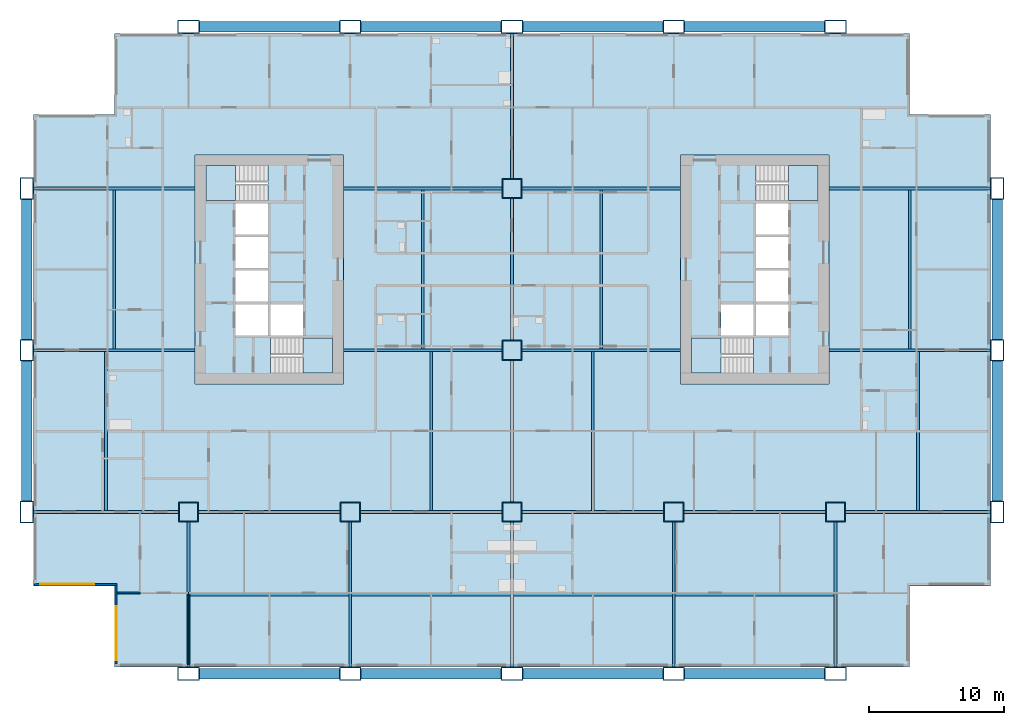
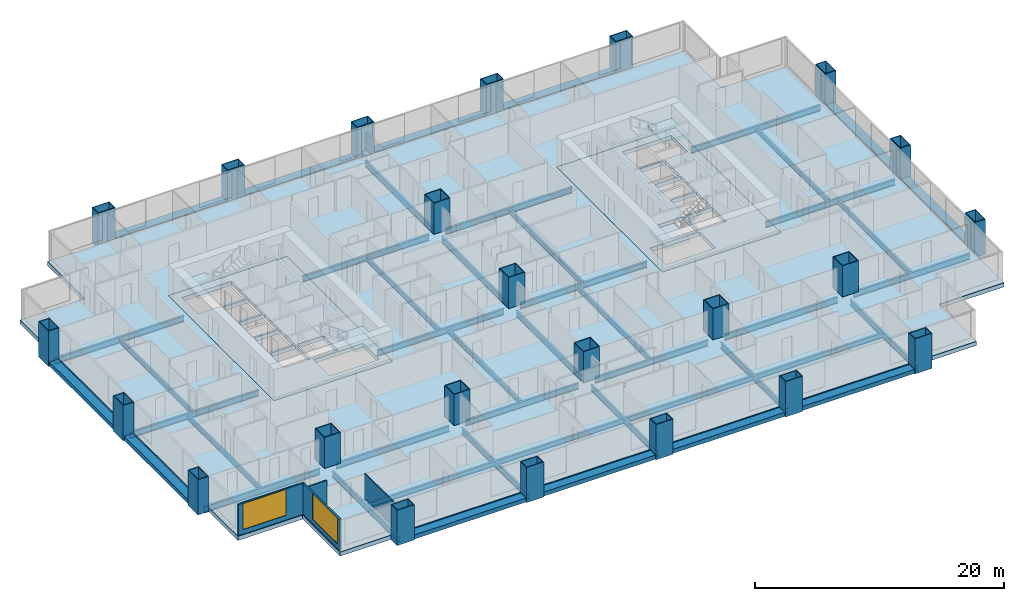
# One storey, part 1 of 14: 46 beams, 23 columns, 7 slabs, 4 walls, 2 windows, 2 openings, 4 elements without a shape of their own.
"""IFC4 building model written with IfcOpenShell, lengths in metres."""

from ifc_helpers import new_model, si_unit, direction, frame, frame_2d, origin, origin_2d, place, context, subcontext, project, spatial, polyline, rectangle, hollow_rectangle, i_section, outline, extrude, material, layer, layer_set, material_profile, profile_set, type_object, element, fill, aggregate, save


model = new_model("IFC4")

# Units and contexts
model_context = context("Model", 3, precision=1e-05, world=origin(), true_north=direction((0.0, 1.0)))
body_context = subcontext(model_context, "Body", "Model", "MODEL_VIEW")
ifc_project = project(units=[si_unit("LENGTHUNIT", "METRE"), si_unit("AREAUNIT", "SQUARE_METRE"), si_unit("VOLUMEUNIT", "CUBIC_METRE"), si_unit("PLANEANGLEUNIT", "RADIAN"), si_unit("MASSUNIT", "GRAM", prefix="KILO")], contexts=[model_context])

# Site, building, storey
site_placement = place(None, origin())
site = spatial("IfcSite", under=ifc_project, at=site_placement, CompositionType="ELEMENT")
building_placement = place(site_placement, origin())
building = spatial("IfcBuilding", under=site, at=building_placement, Name="Kitamizu Gate Tower and Museum", CompositionType="ELEMENT")
storey_placement = place(building_placement, frame((0.0, 0.0, 61.050048828125)))
storey = spatial("IfcBuildingStorey", under=building, at=storey_placement, Name="L14", CompositionType="ELEMENT", Elevation=61.050048828125)

# Columns
ifc_material_1 = material(Name="Steel SM490A bronze coated", Category="steel")
ifc_material_profile_1 = material_profile(ifc_material_1, hollow_rectangle(XDim=1.60009765625, YDim=1.0, WallThickness=0.06494140625, at=origin_2d()), Name="BOX 1600x1000x65")
ifc_profile_set_1 = profile_set([ifc_material_profile_1], Name="Steel SM490A bronze coated")
column_type_1 = type_object("IfcColumnType", Name="Exoskeleton column XC3 BOX 1600x1000x65", PredefinedType="COLUMN", material=ifc_profile_set_1)
for number, where, z_axis, x_axis, name in (
    (1, (0.0, 12.0, -0.400146484375), (0.0, 0.0, 1.0), (0.0, 1.0, 0.0), "Column XC3 1B L14"),
    (2, (0.0, 24.0, -0.400146484375), (0.0, 0.0, 1.0), (0.0, 1.0, 0.0), "Column XC3 1C L14"),
    (3, (0.0, 36.0, -0.400146484375), (0.0, 0.0, 1.0), (0.0, 1.0, 0.0), "Column XC3 1D L14"),
    (4, (12.0, 0.0, -0.400146484375), (0.0, 0.0, 1.0), (1.0, 0.0, 0.0), "Column XC3 2A L14"),
    (5, (12.0, 48.0, -0.400146484375), (0.0, 0.0, 1.0), (1.0, 0.0, 0.0), "Column XC3 2E L14"),
    (6, (24.0, 0.0, -0.400146484375), (0.0, 0.0, 1.0), (1.0, 0.0, 0.0), "Column XC3 3A L14"),
    (7, (24.0, 48.0, -0.400146484375), (0.0, 0.0, 1.0), (1.0, 0.0, 0.0), "Column XC3 3E L14"),
    (8, (36.0, 0.0, -0.400146484375), (0.0, 0.0, 1.0), (1.0, 0.0, 0.0), "Column XC3 4A L14"),
    (9, (36.0, 48.0, -0.400146484375), (0.0, 0.0, 1.0), (1.0, 0.0, 0.0), "Column XC3 4E L14"),
    (10, (48.0, 0.0, -0.400146484375), (0.0, 0.0, 1.0), (1.0, 0.0, 0.0), "Column XC3 5A L14"),
    (11, (48.0, 48.0, -0.400146484375), (0.0, 0.0, 1.0), (1.0, 0.0, 0.0), "Column XC3 5E L14"),
    (12, (60.0, 0.0, -0.400146484375), (0.0, 0.0, 1.0), (1.0, 0.0, 0.0), "Column XC3 6A L14"),
    (13, (60.0, 48.0, -0.400146484375), (0.0, 0.0, 1.0), (1.0, 0.0, 0.0), "Column XC3 6E L14"),
    (14, (72.0, 12.0, -0.400146484375), (0.0, 0.0, 1.0), (0.0, 1.0, 0.0), "Column XC3 7B L14"),
    (15, (72.0, 24.0, -0.400146484375), (0.0, 0.0, 1.0), (0.0, 1.0, 0.0), "Column XC3 7C L14"),
    (16, (72.0, 36.0, -0.400146484375), (0.0, 0.0, 1.0), (0.0, 1.0, 0.0), "Column XC3 7D L14"),
):
    element("IfcColumn", number, at=place(storey_placement, frame(where, z_axis=z_axis, x_axis=x_axis)), inside=storey, type_object=column_type_1, Name=name, PredefinedType="COLUMN", context=body_context, shape_type="SweptSolid", body=[
        extrude(hollow_rectangle(XDim=1.60009765625, YDim=1.0, WallThickness=0.06494140625, at=origin_2d()), origin(), (0.0, 0.0, 1.0), 3.4501953125),
    ])
ifc_material_2 = material(Name="Steel SM490A", Category="steel")
ifc_material_profile_2 = material_profile(ifc_material_2, hollow_rectangle(XDim=1.5, YDim=1.5, WallThickness=0.06494140625, at=origin_2d()), Name="BOX 1500x1500x65")
ifc_profile_set_2 = profile_set([ifc_material_profile_2], Name="Steel SM490A")
column_type_2 = type_object("IfcColumnType", Name="Interior column IC2 BOX 1500x1500x65", PredefinedType="COLUMN", material=ifc_profile_set_2)
for number, where, z_axis, x_axis, name in (
    (17, (12.0, 12.0, 0.0), (0.0, 0.0, 1.0), (1.0, 0.0, 0.0), "Column IC2 2B L14"),
    (18, (24.0, 12.0, 0.0), (0.0, 0.0, 1.0), (1.0, 0.0, 0.0), "Column IC2 3B L14"),
    (19, (36.0, 12.0, 0.0), (0.0, 0.0, 1.0), (1.0, 0.0, 0.0), "Column IC2 4B L14"),
    (20, (36.0, 24.0, 0.0), (0.0, 0.0, 1.0), (1.0, 0.0, 0.0), "Column IC2 4C L14"),
    (21, (36.0, 36.0, 0.0), (0.0, 0.0, 1.0), (1.0, 0.0, 0.0), "Column IC2 4D L14"),
    (22, (48.0, 12.0, 0.0), (0.0, 0.0, 1.0), (1.0, 0.0, 0.0), "Column IC2 5B L14"),
    (23, (60.0, 12.0, 0.0), (0.0, 0.0, 1.0), (1.0, 0.0, 0.0), "Column IC2 6B L14"),
):
    element("IfcColumn", number, at=place(storey_placement, frame(where, z_axis=z_axis, x_axis=x_axis)), inside=storey, type_object=column_type_2, Name=name, PredefinedType="COLUMN", context=body_context, shape_type="SweptSolid", body=[
        extrude(hollow_rectangle(XDim=1.5, YDim=1.5, WallThickness=0.06494140625, at=origin_2d()), origin(), (0.0, 0.0, 1.0), 3.050048828125),
    ])

# Beams
ifc_material_3 = material(Name="Steel SM490A bronze coated", Category="steel")
ifc_material_profile_3 = material_profile(ifc_material_3, hollow_rectangle(XDim=0.800048828125, YDim=0.39990234375, WallThickness=0.0400390625, at=origin_2d()), Name="BOX 800x400x40")
ifc_profile_set_3 = profile_set([ifc_material_profile_3], Name="Steel SM490A bronze coated")
beam_type_1 = type_object("IfcBeamType", Name="Exoskeleton spandrel beam SB1 BOX 800x400x40", PredefinedType="SPANDREL", material=ifc_profile_set_3)
for number, where, z_axis, x_axis, name in (
    (24, (12.800048828125, 0.0, -0.199951171875), (1.0, 0.0, 0.0), (0.0, 1.0, 0.0), "Exoskeleton spandrel beam south 12 L14"),
    (25, (24.800048828125, 0.0, -0.199951171875), (1.0, 0.0, 0.0), (0.0, 1.0, 0.0), "Exoskeleton spandrel beam south 24 L14"),
    (26, (36.800048828125, 0.0, -0.199951171875), (1.0, 0.0, 0.0), (0.0, 1.0, 0.0), "Exoskeleton spandrel beam south 36 L14"),
    (27, (48.800048828125, 0.0, -0.199951171875), (1.0, 0.0, 0.0), (0.0, 1.0, 0.0), "Exoskeleton spandrel beam south 48 L14"),
    (28, (12.800048828125, 48.0, -0.199951171875), (1.0, 0.0, 0.0), (0.0, 1.0, 0.0), "Exoskeleton spandrel beam north 12 L14"),
    (29, (24.800048828125, 48.0, -0.199951171875), (1.0, 0.0, 0.0), (0.0, 1.0, 0.0), "Exoskeleton spandrel beam north 24 L14"),
    (30, (36.800048828125, 48.0, -0.199951171875), (1.0, 0.0, 0.0), (0.0, 1.0, 0.0), "Exoskeleton spandrel beam north 36 L14"),
    (31, (48.800048828125, 48.0, -0.199951171875), (1.0, 0.0, 0.0), (0.0, 1.0, 0.0), "Exoskeleton spandrel beam north 48 L14"),
    (32, (0.0, 12.800048828125, -0.199951171875), (0.0, 1.0, 0.0), (-1.0, 0.0, 0.0), "Exoskeleton spandrel beam west 12 L14"),
    (33, (0.0, 24.800048828125, -0.199951171875), (0.0, 1.0, 0.0), (-1.0, 0.0, 0.0), "Exoskeleton spandrel beam west 24 L14"),
    (34, (72.0, 12.800048828125, -0.199951171875), (0.0, 1.0, 0.0), (-1.0, 0.0, 0.0), "Exoskeleton spandrel beam east 12 L14"),
    (35, (72.0, 24.800048828125, -0.199951171875), (0.0, 1.0, 0.0), (-1.0, 0.0, 0.0), "Exoskeleton spandrel beam east 24 L14"),
):
    element("IfcBeam", number, at=place(storey_placement, frame(where, z_axis=z_axis, x_axis=x_axis)), inside=storey, type_object=beam_type_1, Name=name, PredefinedType="SPANDREL", context=body_context, shape_type="SweptSolid", body=[
        extrude(hollow_rectangle(XDim=0.800048828125, YDim=0.39990234375, WallThickness=0.0400390625, at=origin_2d()), origin(), (0.0, 0.0, 1.0), 10.39990234375),
    ])
ifc_material_4 = material(Name="Steel SM490A", Category="steel")
ifc_material_profile_4 = material_profile(ifc_material_4, i_section(OverallWidth=0.199951171875, OverallDepth=0.5, WebThickness=0.010009765625, FlangeThickness=0.01611328125, FilletRadius=0.02001953125, at=origin_2d()), Name="H-500x200x10x16")
ifc_profile_set_4 = profile_set([ifc_material_profile_4], Name="Steel SM490A")
beam_type_2 = type_object("IfcBeamType", Name="Floor beam FB1 H 500x200x10x16", PredefinedType="BEAM", material=ifc_profile_set_4)
for number, where, z_axis, x_axis, name in (
    (36, (12.10009765625, 5.875, -0.650146484375), (1.0, 0.0, 0.0), (0.0, 1.0, 0.0), "Floor beam FB1 L14-1"),
    (37, (24.10009765625, 5.875, -0.650146484375), (1.0, 0.0, 0.0), (0.0, 1.0, 0.0), "Floor beam FB1 L14-2"),
    (38, (36.10009765625, 5.875, -0.650146484375), (1.0, 0.0, 0.0), (0.0, 1.0, 0.0), "Floor beam FB1 L14-3"),
    (39, (48.10009765625, 5.875, -0.650146484375), (1.0, 0.0, 0.0), (0.0, 1.0, 0.0), "Floor beam FB1 L14-4"),
    (40, (5.875, 12.10009765625, -0.650146484375), (0.0, 1.0, 0.0), (-1.0, 0.0, 0.0), "Floor beam FB1 L14-5"),
    (41, (30.0, 12.10009765625, -0.650146484375), (0.0, 1.0, 0.0), (-1.0, 0.0, 0.0), "Floor beam FB1 L14-6"),
    (42, (42.0, 12.10009765625, -0.650146484375), (0.0, 1.0, 0.0), (-1.0, 0.0, 0.0), "Floor beam FB1 L14-7"),
    (43, (66.125, 12.10009765625, -0.650146484375), (0.0, 1.0, 0.0), (-1.0, 0.0, 0.0), "Floor beam FB1 L14-8"),
    (44, (6.5, 24.10009765625, -0.650146484375), (0.0, 1.0, 0.0), (-1.0, 0.0, 0.0), "Floor beam FB1 L14-9"),
    (45, (29.375, 24.10009765625, -0.650146484375), (0.0, 1.0, 0.0), (-1.0, 0.0, 0.0), "Floor beam FB1 L14-10"),
    (46, (42.625, 24.10009765625, -0.650146484375), (0.0, 1.0, 0.0), (-1.0, 0.0, 0.0), "Floor beam FB1 L14-11"),
    (47, (65.5, 24.10009765625, -0.650146484375), (0.0, 1.0, 0.0), (-1.0, 0.0, 0.0), "Floor beam FB1 L14-12"),
):
    element("IfcBeam", number, at=place(storey_placement, frame(where, z_axis=z_axis, x_axis=x_axis)), inside=storey, type_object=beam_type_2, Name=name, PredefinedType="BEAM", context=body_context, shape_type="SweptSolid", body=[
        extrude(i_section(OverallWidth=0.199951171875, OverallDepth=0.5, WebThickness=0.010009765625, FlangeThickness=0.01611328125, FilletRadius=0.02001953125, at=origin_2d()), origin(), (0.0, 0.0, 1.0), 11.7998046875),
    ])
ifc_material_5 = material(Name="Steel SM490A", Category="steel")
ifc_material_profile_5 = material_profile(ifc_material_5, i_section(OverallWidth=0.199951171875, OverallDepth=0.60009765625, WebThickness=0.010986328125, FlangeThickness=0.01708984375, FilletRadius=0.02197265625, at=origin_2d()), Name="H-600x200x11x17")
ifc_profile_set_5 = profile_set([ifc_material_profile_5], Name="Steel SM490A")
beam_type_3 = type_object("IfcBeamType", Name="Floor girder FG1 H 600x200x11x17", PredefinedType="BEAM", material=ifc_profile_set_5)
for number, where, z_axis, x_axis, name in (
    (48, (12.0, 0.5, -0.699951171875), (0.0, 1.0, 0.0), (-1.0, 0.0, 0.0), "Floor girder FG1 x12 L14"),
    (49, (24.0, 0.5, -0.699951171875), (0.0, 1.0, 0.0), (-1.0, 0.0, 0.0), "Floor girder FG1 x24 L14"),
    (50, (36.0, 0.5, -0.699951171875), (0.0, 1.0, 0.0), (-1.0, 0.0, 0.0), "Floor girder FG1 x36 L14"),
):
    element("IfcBeam", number, at=place(storey_placement, frame(where, z_axis=z_axis, x_axis=x_axis)), inside=storey, type_object=beam_type_3, Name=name, PredefinedType="BEAM", context=body_context, shape_type="SweptSolid", body=[
        extrude(i_section(OverallWidth=0.199951171875, OverallDepth=0.60009765625, WebThickness=0.010986328125, FlangeThickness=0.01708984375, FilletRadius=0.02197265625, at=origin_2d()), origin(), (0.0, 0.0, 1.0), 10.75),
    ])
for number, where, z_axis, x_axis, name in (
    (51, (36.0, 12.75, -0.699951171875), (0.0, 1.0, 0.0), (-1.0, 0.0, 0.0), "Floor girder FG1 x36 L14"),
    (52, (36.0, 24.75, -0.699951171875), (0.0, 1.0, 0.0), (-1.0, 0.0, 0.0), "Floor girder FG1 x36 L14"),
):
    element("IfcBeam", number, at=place(storey_placement, frame(where, z_axis=z_axis, x_axis=x_axis)), inside=storey, type_object=beam_type_3, Name=name, PredefinedType="BEAM", context=body_context, shape_type="SweptSolid", body=[
        extrude(i_section(OverallWidth=0.199951171875, OverallDepth=0.60009765625, WebThickness=0.010986328125, FlangeThickness=0.01708984375, FilletRadius=0.02197265625, at=origin_2d()), origin(), (0.0, 0.0, 1.0), 10.5),
    ])
for number, where, z_axis, x_axis, name in (
    (53, (36.0, 36.75, -0.699951171875), (0.0, 1.0, 0.0), (-1.0, 0.0, 0.0), "Floor girder FG1 x36 L14"),
    (54, (48.0, 0.5, -0.699951171875), (0.0, 1.0, 0.0), (-1.0, 0.0, 0.0), "Floor girder FG1 x48 L14"),
    (55, (60.0, 0.5, -0.699951171875), (0.0, 1.0, 0.0), (-1.0, 0.0, 0.0), "Floor girder FG1 x60 L14"),
    (56, (0.5, 12.0, -0.699951171875), (1.0, 0.0, 0.0), (0.0, 1.0, 0.0), "Floor girder FG1 y12 L14"),
):
    element("IfcBeam", number, at=place(storey_placement, frame(where, z_axis=z_axis, x_axis=x_axis)), inside=storey, type_object=beam_type_3, Name=name, PredefinedType="BEAM", context=body_context, shape_type="SweptSolid", body=[
        extrude(i_section(OverallWidth=0.199951171875, OverallDepth=0.60009765625, WebThickness=0.010986328125, FlangeThickness=0.01708984375, FilletRadius=0.02197265625, at=origin_2d()), origin(), (0.0, 0.0, 1.0), 10.75),
    ])
for number, where, z_axis, x_axis, name in (
    (57, (12.75, 12.0, -0.699951171875), (1.0, 0.0, 0.0), (0.0, 1.0, 0.0), "Floor girder FG1 y12 L14"),
    (58, (24.75, 12.0, -0.699951171875), (1.0, 0.0, 0.0), (0.0, 1.0, 0.0), "Floor girder FG1 y12 L14"),
    (59, (36.75, 12.0, -0.699951171875), (1.0, 0.0, 0.0), (0.0, 1.0, 0.0), "Floor girder FG1 y12 L14"),
    (60, (48.75, 12.0, -0.699951171875), (1.0, 0.0, 0.0), (0.0, 1.0, 0.0), "Floor girder FG1 y12 L14"),
):
    element("IfcBeam", number, at=place(storey_placement, frame(where, z_axis=z_axis, x_axis=x_axis)), inside=storey, type_object=beam_type_3, Name=name, PredefinedType="BEAM", context=body_context, shape_type="SweptSolid", body=[
        extrude(i_section(OverallWidth=0.199951171875, OverallDepth=0.60009765625, WebThickness=0.010986328125, FlangeThickness=0.01708984375, FilletRadius=0.02197265625, at=origin_2d()), origin(), (0.0, 0.0, 1.0), 10.5),
    ])
beam_1_placement = place(storey_placement, frame((60.75, 12.0, -0.699951171875), z_axis=(1.0, 0.0, 0.0), x_axis=(0.0, 1.0, 0.0)))
element("IfcBeam", 61, at=beam_1_placement, inside=storey, type_object=beam_type_3, Name="Floor girder FG1 y12 L14", PredefinedType="BEAM", context=body_context, shape_type="SweptSolid", body=[
    extrude(i_section(OverallWidth=0.199951171875, OverallDepth=0.60009765625, WebThickness=0.010986328125, FlangeThickness=0.01708984375, FilletRadius=0.02197265625, at=origin_2d()), origin(), (0.0, 0.0, 1.0), 10.75),
])
beam_2_placement = place(storey_placement, frame((0.5, 24.0, -0.699951171875), z_axis=(1.0, 0.0, 0.0), x_axis=(0.0, 1.0, 0.0)))
element("IfcBeam", 62, at=beam_2_placement, inside=storey, type_object=beam_type_3, Name="Floor girder FG1 y24 L14", PredefinedType="BEAM", context=body_context, shape_type="SweptSolid", body=[
    extrude(i_section(OverallWidth=0.199951171875, OverallDepth=0.60009765625, WebThickness=0.010986328125, FlangeThickness=0.01708984375, FilletRadius=0.02197265625, at=origin_2d()), origin(), (0.0, 0.0, 1.0), 12.0),
])
for number, where, z_axis, x_axis, name in (
    (63, (23.5, 24.0, -0.699951171875), (1.0, 0.0, 0.0), (0.0, 1.0, 0.0), "Floor girder FG1 y24 L14"),
    (64, (36.75, 24.0, -0.699951171875), (1.0, 0.0, 0.0), (0.0, 1.0, 0.0), "Floor girder FG1 y24 L14"),
):
    element("IfcBeam", number, at=place(storey_placement, frame(where, z_axis=z_axis, x_axis=x_axis)), inside=storey, type_object=beam_type_3, Name=name, PredefinedType="BEAM", context=body_context, shape_type="SweptSolid", body=[
        extrude(i_section(OverallWidth=0.199951171875, OverallDepth=0.60009765625, WebThickness=0.010986328125, FlangeThickness=0.01708984375, FilletRadius=0.02197265625, at=origin_2d()), origin(), (0.0, 0.0, 1.0), 11.75),
    ])
for number, where, z_axis, x_axis, name in (
    (65, (59.5, 24.0, -0.699951171875), (1.0, 0.0, 0.0), (0.0, 1.0, 0.0), "Floor girder FG1 y24 L14"),
    (66, (0.5, 36.0, -0.699951171875), (1.0, 0.0, 0.0), (0.0, 1.0, 0.0), "Floor girder FG1 y36 L14"),
):
    element("IfcBeam", number, at=place(storey_placement, frame(where, z_axis=z_axis, x_axis=x_axis)), inside=storey, type_object=beam_type_3, Name=name, PredefinedType="BEAM", context=body_context, shape_type="SweptSolid", body=[
        extrude(i_section(OverallWidth=0.199951171875, OverallDepth=0.60009765625, WebThickness=0.010986328125, FlangeThickness=0.01708984375, FilletRadius=0.02197265625, at=origin_2d()), origin(), (0.0, 0.0, 1.0), 12.0),
    ])
for number, where, z_axis, x_axis, name in (
    (67, (23.5, 36.0, -0.699951171875), (1.0, 0.0, 0.0), (0.0, 1.0, 0.0), "Floor girder FG1 y36 L14"),
    (68, (36.75, 36.0, -0.699951171875), (1.0, 0.0, 0.0), (0.0, 1.0, 0.0), "Floor girder FG1 y36 L14"),
):
    element("IfcBeam", number, at=place(storey_placement, frame(where, z_axis=z_axis, x_axis=x_axis)), inside=storey, type_object=beam_type_3, Name=name, PredefinedType="BEAM", context=body_context, shape_type="SweptSolid", body=[
        extrude(i_section(OverallWidth=0.199951171875, OverallDepth=0.60009765625, WebThickness=0.010986328125, FlangeThickness=0.01708984375, FilletRadius=0.02197265625, at=origin_2d()), origin(), (0.0, 0.0, 1.0), 11.75),
    ])
beam_3_placement = place(storey_placement, frame((59.5, 36.0, -0.699951171875), z_axis=(1.0, 0.0, 0.0), x_axis=(0.0, 1.0, 0.0)))
element("IfcBeam", 69, at=beam_3_placement, inside=storey, type_object=beam_type_3, Name="Floor girder FG1 y36 L14", PredefinedType="BEAM", context=body_context, shape_type="SweptSolid", body=[
    extrude(i_section(OverallWidth=0.199951171875, OverallDepth=0.60009765625, WebThickness=0.010986328125, FlangeThickness=0.01708984375, FilletRadius=0.02197265625, at=origin_2d()), origin(), (0.0, 0.0, 1.0), 12.0),
])

# Slabs
ifc_material_6 = material(Name="Concrete Fc36", Category="concrete")
ifc_layer_1 = layer(ifc_material_6, 0.39990234375)
ifc_layer_set_1 = layer_set([ifc_layer_1], Name="Concrete Fc36")
slab_type_1 = type_object("IfcSlabType", Name="Core floor slab 400", PredefinedType="FLOOR", material=ifc_layer_set_1)
slab_1_placement = place(storey_placement, frame((0.0, 0.0, -0.400146484375)))
element("IfcSlab", 70, at=slab_1_placement, inside=storey, type_object=slab_type_1, Name="Core floor slab W", PredefinedType="FLOOR", context=body_context, shape_type="SweptSolid", body=[
    extrude(outline(polyline([(12.5, 21.5), (23.5, 21.5), (23.5, 38.5), (12.5, 38.5), (12.5, 21.5)]), holes=[polyline([(15.5, 25.10009765625), (17.89990234375, 25.10009765625), (17.89990234375, 27.39990234375), (15.5, 27.39990234375), (15.5, 25.10009765625)]), polyline([(15.5, 27.60009765625), (17.89990234375, 27.60009765625), (17.89990234375, 29.89990234375), (15.5, 29.89990234375), (15.5, 27.60009765625)]), polyline([(15.5, 30.10009765625), (17.89990234375, 30.10009765625), (17.89990234375, 32.39990234375), (15.5, 32.39990234375), (15.5, 30.10009765625)]), polyline([(15.5, 32.60009765625), (17.89990234375, 32.60009765625), (17.89990234375, 34.89990234375), (15.5, 34.89990234375), (15.5, 32.60009765625)]), polyline([(18.10009765625, 25.10009765625), (20.5, 25.10009765625), (20.5, 27.39990234375), (18.10009765625, 27.39990234375), (18.10009765625, 25.10009765625)]), polyline([(18.1005859375, 22.300048828125), (22.699951171875, 22.300048828125), (22.699951171875, 24.89990234375), (18.1005859375, 24.89990234375), (18.1005859375, 22.300048828125)]), polyline([(13.300048828125, 35.10009765625), (17.8994140625, 35.10009765625), (17.8994140625, 37.699951171875), (13.300048828125, 37.699951171875), (13.300048828125, 35.10009765625)])]), origin(), (0.0, 0.0, 1.0), 0.400146484375),
])
slab_2_placement = place(storey_placement, frame((0.0, 0.0, -0.400146484375)))
element("IfcSlab", 71, at=slab_2_placement, inside=storey, type_object=slab_type_1, Name="Core floor slab E", PredefinedType="FLOOR", context=body_context, shape_type="SweptSolid", body=[
    extrude(outline(polyline([(48.5, 21.5), (59.5, 21.5), (59.5, 38.5), (48.5, 38.5), (48.5, 21.5)]), holes=[polyline([(54.10009765625, 25.10009765625), (56.5, 25.10009765625), (56.5, 27.39990234375), (54.10009765625, 27.39990234375), (54.10009765625, 25.10009765625)]), polyline([(54.10009765625, 27.60009765625), (56.5, 27.60009765625), (56.5, 29.89990234375), (54.10009765625, 29.89990234375), (54.10009765625, 27.60009765625)]), polyline([(54.10009765625, 30.10009765625), (56.5, 30.10009765625), (56.5, 32.39990234375), (54.10009765625, 32.39990234375), (54.10009765625, 30.10009765625)]), polyline([(54.10009765625, 32.60009765625), (56.5, 32.60009765625), (56.5, 34.89990234375), (54.10009765625, 34.89990234375), (54.10009765625, 32.60009765625)]), polyline([(51.5, 25.10009765625), (53.89990234375, 25.10009765625), (53.89990234375, 27.39990234375), (51.5, 27.39990234375), (51.5, 25.10009765625)]), polyline([(49.300048828125, 22.300048828125), (53.8994140625, 22.300048828125), (53.8994140625, 24.89990234375), (49.300048828125, 24.89990234375), (49.300048828125, 22.300048828125)]), polyline([(54.1005859375, 35.10009765625), (58.699951171875, 35.10009765625), (58.699951171875, 37.699951171875), (54.1005859375, 37.699951171875), (54.1005859375, 35.10009765625)])]), origin(), (0.0, 0.0, 1.0), 0.400146484375),
])
ifc_material_7 = material(Name="Concrete Fc36", Category="concrete")
ifc_layer_2 = layer(ifc_material_7, 0.39990234375)
ifc_layer_set_2 = layer_set([ifc_layer_2], Name="Concrete Fc36")
slab_type_2 = type_object("IfcSlabType", Name="Post tensioned flat slab 400", PredefinedType="FLOOR", material=ifc_layer_set_2)
slab_3_placement = place(storey_placement, frame((0.0, 0.0, -0.400146484375)))
element("IfcSlab", 72, at=slab_3_placement, inside=storey, type_object=slab_type_2, Name="Floor slab L14-1", PredefinedType="FLOOR", context=body_context, shape_type="SweptSolid", body=[
    extrude(outline(polyline([(0.5, 6.5), (0.5, 41.5), (6.5, 41.5), (6.5, 47.5), (65.5, 47.5), (65.5, 41.5), (71.5, 41.5), (71.5, 6.5), (65.5, 6.5), (65.5, 0.5), (6.5, 0.5), (6.5, 6.5), (0.5, 6.5)]), holes=[polyline([(59.5, 38.5), (48.5, 38.5), (48.5, 21.5), (59.5, 21.5), (59.5, 38.5)]), polyline([(12.5, 38.5), (12.5, 21.5), (23.5, 21.5), (23.5, 38.5), (12.5, 38.5)])]), origin(), (0.0, 0.0, 1.0), 0.400146484375),
])

# Stair, slab
ifc_material_8 = material(Name="Concrete Fc42", Category="concrete")
stair_type = type_object("IfcStairType", Name="Exit stair 1200 wide 192 rise 300 going", PredefinedType="HALF_TURN_STAIR", material=ifc_material_8)
stair_1_placement = place(storey_placement, origin())
stair_1 = element("IfcStair", 73, at=stair_1_placement, inside=storey, type_object=stair_type, Name="Exit stair ST1", PredefinedType="HALF_TURN_STAIR")
ifc_material_9 = material(Name="Concrete Fc42", Category="concrete")
ifc_layer_3 = layer(ifc_material_9, 0.300048828125)
ifc_layer_set_3 = layer_set([ifc_layer_3], Name="Concrete Fc42")
slab_type_3 = type_object("IfcSlabType", Name="Stair landing 300", PredefinedType="LANDING", material=ifc_layer_set_3)
slab_4_placement = place(storey_placement, frame((0.0, 0.0, 1.425048828125)))
slab_4 = element("IfcSlab", 74, at=slab_4_placement, type_object=slab_type_3, Name="ST1 landing 1", PredefinedType="LANDING", context=body_context, shape_type="SweptSolid", body=[
    extrude(outline(polyline([(20.5, 22.300048828125), (22.699951171875, 22.300048828125), (22.699951171875, 24.89990234375), (20.5, 24.89990234375), (20.5, 22.300048828125)])), origin(), (0.0, 0.0, 1.0), 0.2998046875),
])
aggregate(stair_1, [slab_4])

stair_2_placement = place(storey_placement, origin())
stair_2 = element("IfcStair", 75, at=stair_2_placement, inside=storey, type_object=stair_type, Name="Exit stair ST2", PredefinedType="HALF_TURN_STAIR")
slab_5_placement = place(storey_placement, frame((0.0, 0.0, 1.425048828125)))
slab_5 = element("IfcSlab", 76, at=slab_5_placement, type_object=slab_type_3, Name="ST2 landing 1", PredefinedType="LANDING", context=body_context, shape_type="SweptSolid", body=[
    extrude(outline(polyline([(13.300048828125, 35.10009765625), (15.5, 35.10009765625), (15.5, 37.699951171875), (13.300048828125, 37.699951171875), (13.300048828125, 35.10009765625)])), origin(), (0.0, 0.0, 1.0), 0.2998046875),
])
aggregate(stair_2, [slab_5])

stair_3_placement = place(storey_placement, origin())
stair_3 = element("IfcStair", 77, at=stair_3_placement, inside=storey, type_object=stair_type, Name="Exit stair ST3", PredefinedType="HALF_TURN_STAIR")
slab_6_placement = place(storey_placement, frame((0.0, 0.0, 1.425048828125)))
slab_6 = element("IfcSlab", 78, at=slab_6_placement, type_object=slab_type_3, Name="ST3 landing 1", PredefinedType="LANDING", context=body_context, shape_type="SweptSolid", body=[
    extrude(outline(polyline([(49.300048828125, 22.300048828125), (51.5, 22.300048828125), (51.5, 24.89990234375), (49.300048828125, 24.89990234375), (49.300048828125, 22.300048828125)])), origin(), (0.0, 0.0, 1.0), 0.2998046875),
])
aggregate(stair_3, [slab_6])

stair_4_placement = place(storey_placement, origin())
stair_4 = element("IfcStair", 79, at=stair_4_placement, inside=storey, type_object=stair_type, Name="Exit stair ST4", PredefinedType="HALF_TURN_STAIR")
slab_7_placement = place(storey_placement, frame((0.0, 0.0, 1.425048828125)))
slab_7 = element("IfcSlab", 80, at=slab_7_placement, type_object=slab_type_3, Name="ST4 landing 1", PredefinedType="LANDING", context=body_context, shape_type="SweptSolid", body=[
    extrude(outline(polyline([(56.5, 35.10009765625), (58.699951171875, 35.10009765625), (58.699951171875, 37.699951171875), (56.5, 37.699951171875), (56.5, 35.10009765625)])), origin(), (0.0, 0.0, 1.0), 0.2998046875),
])
aggregate(stair_4, [slab_7])

# Walls
ifc_material_10 = material(Name="Gypsum board on galvanised stud")
ifc_layer_4 = layer(ifc_material_10, 0.10009765625)
ifc_layer_set_4 = layer_set([ifc_layer_4], Name="Gypsum board on galvanised stud")
wall_type_1 = type_object("IfcWallType", Name="Partition 100 NOT RATED", PredefinedType="PARTITIONING", material=ifc_layer_set_4)
wall_1_placement = place(storey_placement, frame((12.0, 0.719970703125, 0.0), z_axis=(0.0, 0.0, 1.0), x_axis=(0.0, 1.0, 0.0)))
element("IfcWall", 81, at=wall_1_placement, inside=storey, type_object=wall_type_1, Name="Partition L14-001", PredefinedType="PARTITIONING", context=body_context, shape_type="SweptSolid", body=[
    extrude(rectangle(XDim=5.280029296875, YDim=0.10009765625, at=frame_2d((2.64013671875, 0.0))), origin(), (0.0, 0.0, 1.0), 2.449951171875),
])
wall_2_placement = place(storey_placement, frame((8.4150390625, 6.0, 0.0), z_axis=(0.0, 0.0, 1.0), x_axis=(-1.0, 0.0, 0.0)))
element("IfcWall", 82, at=wall_2_placement, inside=storey, type_object=wall_type_1, Name="Partition L14-002", PredefinedType="PARTITIONING", context=body_context, shape_type="SweptSolid", body=[
    extrude(rectangle(XDim=1.695068359375, YDim=0.10009765625, at=frame_2d((0.84765625, 0.0))), origin(), (0.0, 0.0, 1.0), 3.050048828125),
])

# Wall, opening, window
ifc_material_11 = material(Name="Bronze anodised aluminium frame with insulated spandrel and tinted glass", Category="aluminium")
ifc_layer_5 = layer(ifc_material_11, 0.14990234375)
ifc_layer_set_5 = layer_set([ifc_layer_5], Name="Bronze anodised aluminium frame with insulated spandrel and tinted glass")
wall_type_2 = type_object("IfcWallType", Name="WINDOW WALL 150 BRONZE FRAME EI 30", PredefinedType="ELEMENTEDWALL", material=ifc_layer_set_5)
wall_3_placement = place(storey_placement, frame((0.56005859375, 6.635009765625, 0.0), z_axis=(0.0, 0.0, 1.0), x_axis=(1.0, 0.0, 0.0)))
wall_3 = element("IfcWall", 83, at=wall_3_placement, inside=storey, type_object=wall_type_2, Name="Window wall south L14", PredefinedType="ELEMENTEDWALL", context=body_context, shape_type="SweptSolid", body=[
    extrude(rectangle(XDim=6.14990234375, YDim=0.14990234375, at=frame_2d((3.074951171875, 0.0))), origin(), (0.0, 0.0, 1.0), 3.050048828125),
])
opening_1_placement = place(wall_3_placement, frame((0.43994140625, 0.0, 0.449951171875)))
opening_1 = element("IfcOpeningElement", 84, at=opening_1_placement, cuts=wall_3, Name="Opening W16", PredefinedType="OPENING", context=body_context, shape_type="SweptSolid", body=[
    extrude(rectangle(XDim=4.0, YDim=2.550048828125, at=frame_2d((2.0, 1.27490234375))), frame((0.0, 0.0849609375, 0.0), z_axis=(0.0, -1.0, 0.0), x_axis=(1.0, 0.0, 0.0)), (0.0, 0.0, 1.0), 0.169921875),
])
ifc_material_12 = material(Name="Bronze anodised aluminium frame, tinted triple glazing", Category="aluminium")
window_type = type_object("IfcWindowType", Name="WINDOW 4000 x 2550 SILL 450", PartitioningType="SINGLE_PANEL", PredefinedType="WINDOW", material=ifc_material_12)
window_1_placement = place(opening_1_placement, origin())
window_1 = element("IfcWindow", 85, at=window_1_placement, inside=storey, type_object=window_type, Name="Window W16 L14", OverallHeight=2.550048828125, OverallWidth=4.0, PartitioningType="SINGLE_PANEL", PredefinedType="WINDOW", context=body_context, shape_type="SweptSolid", body=[
    extrude(rectangle(XDim=4.0, YDim=2.550048828125, at=frame_2d((2.0, 1.27490234375))), frame((0.0, 0.030029296875, 0.0), z_axis=(0.0, -1.0, 0.0), x_axis=(1.0, 0.0, 0.0)), (0.0, 0.0, 1.0), 0.06005859375),
])
fill(opening_1, window_1)

wall_4_placement = place(storey_placement, frame((6.635009765625, 0.7099609375, 0.0), z_axis=(0.0, 0.0, 1.0), x_axis=(0.0, 1.0, 0.0)))
wall_4 = element("IfcWall", 86, at=wall_4_placement, inside=storey, type_object=wall_type_2, Name="Window wall west L14", PredefinedType="ELEMENTEDWALL", context=body_context, shape_type="SweptSolid", body=[
    extrude(rectangle(XDim=5.85009765625, YDim=0.14990234375, at=frame_2d((2.925048828125, 0.0))), origin(), (0.0, 0.0, 1.0), 3.050048828125),
])
opening_2_placement = place(wall_4_placement, frame((0.2900390625, 0.0, 0.449951171875)))
opening_2 = element("IfcOpeningElement", 87, at=opening_2_placement, cuts=wall_4, Name="Opening W16", PredefinedType="OPENING", context=body_context, shape_type="SweptSolid", body=[
    extrude(rectangle(XDim=4.0, YDim=2.550048828125, at=frame_2d((2.0, 1.27490234375))), frame((0.0, 0.0849609375, 0.0), z_axis=(0.0, -1.0, 0.0), x_axis=(1.0, 0.0, 0.0)), (0.0, 0.0, 1.0), 0.169921875),
])
window_2_placement = place(opening_2_placement, origin())
window_2 = element("IfcWindow", 88, at=window_2_placement, inside=storey, type_object=window_type, Name="Window W16 L14", OverallHeight=2.550048828125, OverallWidth=4.0, PartitioningType="SINGLE_PANEL", PredefinedType="WINDOW", context=body_context, shape_type="SweptSolid", body=[
    extrude(rectangle(XDim=4.0, YDim=2.550048828125, at=frame_2d((2.0, 1.27490234375))), frame((0.0, 0.030029296875, 0.0), z_axis=(0.0, -1.0, 0.0), x_axis=(1.0, 0.0, 0.0)), (0.0, 0.0, 1.0), 0.06005859375),
])
fill(opening_2, window_2)

save(model, "model.ifc")
